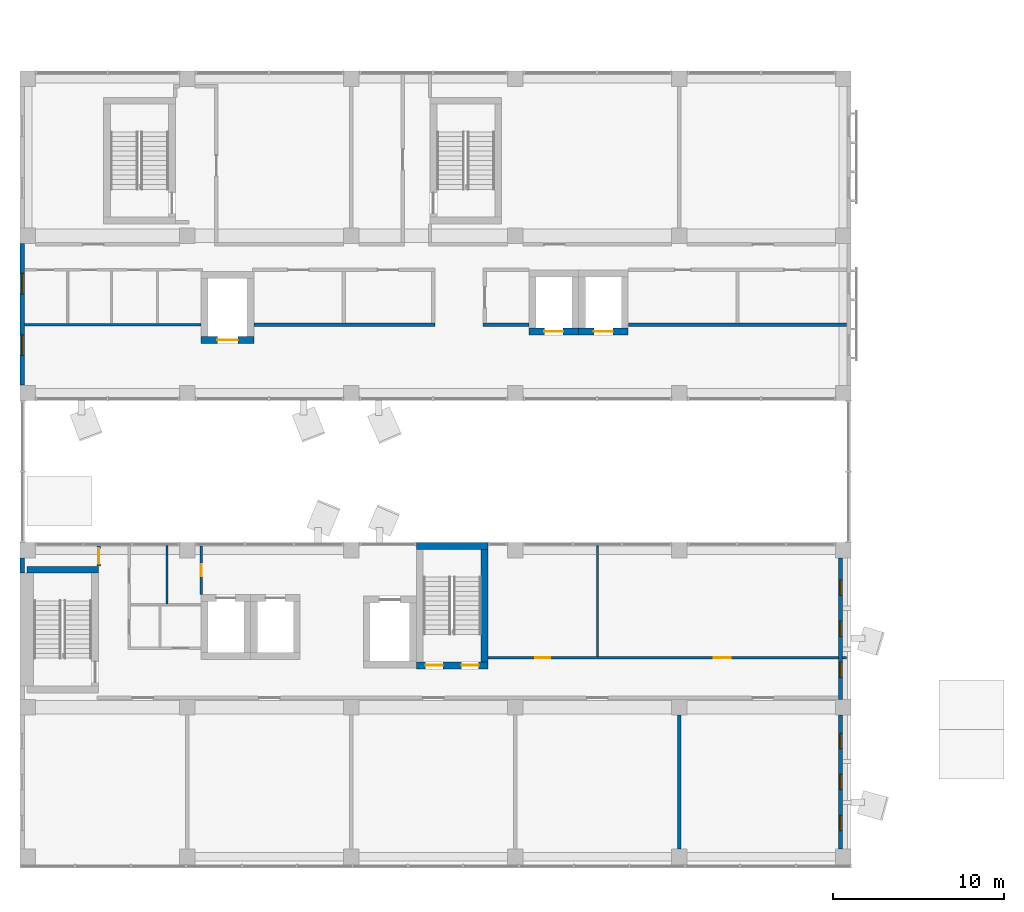
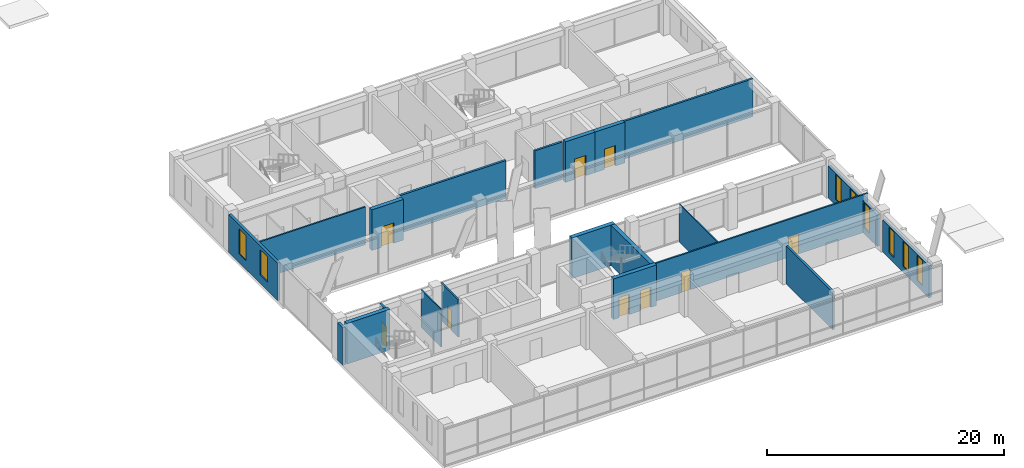
# One storey, part 27 of 36: 21 walls, 9 doors, 8 windows, 17 openings.
"""IFC4 building model written with IfcOpenShell, lengths in metres."""

import ifcopenshell
import ifcopenshell.guid

model = None  # the IFC model being written
_history = None  # IfcOwnerHistory: only IFC2X3 demands one
_inside = {}  # id of a spatial element -> (the spatial element, [elements in it])
_under = {}  # id of a project, library or spatial element -> (it, [spatial elements below it])
_declared = {}  # id of a project -> (the project, [libraries it declares])
_typed = {}  # id of a type object -> (the type object, [elements of that type])
_made_of = {}  # id of a material, layer set ... -> (it, [elements and type objects made of it])


def new_model(schema):
    """Start an empty IFC model of exactly this schema.

    Asked for "IFC4X3", IfcOpenShell would pick the latest addendum, in which some entities
    have other attributes; the version numbers below select the first issue.
    IFC2X3 requires an IfcOwnerHistory on every rooted entity: one is made here for all.
    """
    global model, _history
    if schema == "IFC4X3":
        model = ifcopenshell.file(schema_version=(4, 3, 0, 0))
    else:
        model = ifcopenshell.file(schema=schema)
    _inside.clear()
    _under.clear()
    _declared.clear()
    _typed.clear()
    _made_of.clear()
    _history = None
    if model.schema == "IFC2X3":
        org = make("IfcOrganization", Name="unknown")
        user = make(
            "IfcPersonAndOrganization",
            ThePerson=make("IfcPerson", FamilyName="unknown"),
            TheOrganization=org,
        )
        app = make(
            "IfcApplication",
            ApplicationDeveloper=org,
            Version="unknown",
            ApplicationFullName="unknown",
            ApplicationIdentifier="unknown",
        )
        _history = make(
            "IfcOwnerHistory",
            OwningUser=user,
            OwningApplication=app,
            ChangeAction="ADDED",
            CreationDate=0,
        )
    return model


def make(cls, **values):
    """One entity of the class cls with the attributes given. An attribute that is None is left unset."""
    return model.create_entity(
        cls, **{name: value for name, value in values.items() if value is not None}
    )


def rooted(cls, **values):
    """An entity with a GlobalId (a new one), such as an element, a storey or a relation."""
    return make(cls, GlobalId=ifcopenshell.guid.new(), OwnerHistory=_history, **values)


def si_unit(unit_type, name, prefix=None):
    """IfcSIUnit, for example si_unit("LENGTHUNIT", "METRE", prefix="MILLI")."""
    return make("IfcSIUnit", UnitType=unit_type, Prefix=prefix, Name=name)


def assignment(units):
    """IfcUnitAssignment: the units of a project."""
    return None if units is None else make("IfcUnitAssignment", Units=units)


def point(xyz):
    """IfcCartesianPoint."""
    return None if xyz is None else make("IfcCartesianPoint", Coordinates=xyz)


def direction(xyz):
    """IfcDirection."""
    return None if xyz is None else make("IfcDirection", DirectionRatios=xyz)


def frame(location, z_axis=None, x_axis=None):
    """IfcAxis2Placement3D, a coordinate frame: its origin and axes. An axis left out is left unset."""
    return make(
        "IfcAxis2Placement3D",
        Location=point(location),
        Axis=direction(z_axis),
        RefDirection=direction(x_axis),
    )


def frame_2d(location, x_axis=None):
    """IfcAxis2Placement2D, a coordinate frame in the plane: its origin and x axis."""
    return make(
        "IfcAxis2Placement2D", Location=point(location), RefDirection=direction(x_axis)
    )


def origin():
    """The frame at (0, 0, 0) with its axes left unset."""
    return frame((0.0, 0.0, 0.0))


def place(relative_to, where):
    """IfcLocalPlacement: puts the frame where relative to a parent placement (None: the world)."""
    return make(
        "IfcLocalPlacement", PlacementRelTo=relative_to, RelativePlacement=where
    )


def context(
    kind, dimensions, precision=None, world=None, true_north=None, identifier=None
):
    """IfcGeometricRepresentationContext, for example the 3D "Model" context."""
    return make(
        "IfcGeometricRepresentationContext",
        ContextIdentifier=identifier,
        ContextType=kind,
        CoordinateSpaceDimension=dimensions,
        Precision=precision,
        WorldCoordinateSystem=world,
        TrueNorth=true_north,
    )


def subcontext(parent, identifier, kind, view, scale=None):
    """IfcGeometricRepresentationSubContext, for example "Body" below "Model"."""
    return make(
        "IfcGeometricRepresentationSubContext",
        ContextIdentifier=identifier,
        ContextType=kind,
        ParentContext=parent,
        TargetScale=scale,
        TargetView=view,
    )


def project(units=None, contexts=None):
    """IfcProject with its units and contexts."""
    return rooted(
        "IfcProject",
        Name="project",
        RepresentationContexts=contexts,
        UnitsInContext=assignment(units),
    )


def spatial(cls, under=None, at=None, **own):
    """A site, building, storey or space (cls), placed at a placement, below another one or the project."""
    s = rooted(cls, ObjectPlacement=at, **own)
    if under is not None:
        _under.setdefault(under.id(), (under, []))[1].append(s)
    return s


def profile(cls, at=None, kind="AREA", **sizes):
    """A parametric profile (cls). Its sizes go by their IFC names, for example OverallWidth=200.0."""
    return make(cls, ProfileType=kind, Position=at, **sizes)


def rectangle(**sizes):
    """IfcRectangleProfileDef."""
    return profile("IfcRectangleProfileDef", **sizes)


def extrude(swept, where, along, depth):
    """IfcExtrudedAreaSolid: the profile swept, set in the frame where, extruded along a direction by depth."""
    return make(
        "IfcExtrudedAreaSolid",
        SweptArea=swept,
        Position=where,
        ExtrudedDirection=direction(along),
        Depth=depth,
    )


def shape(context_of_items, identifier, shape_type, items):
    """IfcShapeRepresentation: the items that make up one representation, for example the "Body"."""
    return make(
        "IfcShapeRepresentation",
        ContextOfItems=context_of_items,
        RepresentationIdentifier=identifier,
        RepresentationType=shape_type,
        Items=items,
    )


def material(Name=None, Category=None):
    """IfcMaterial."""
    return make("IfcMaterial", Name=Name, Category=Category)


def layer(
    of_material, thickness, ventilated=None, Name=None, Category=None, Priority=None
):
    """IfcMaterialLayer: one layer of a wall or slab, of a material (None: an air gap)."""
    return make(
        "IfcMaterialLayer",
        Material=of_material,
        LayerThickness=thickness,
        IsVentilated=ventilated,
        Name=Name,
        Category=Category,
        Priority=Priority,
    )


def layer_set(layers, Name=None):
    """IfcMaterialLayerSet."""
    return make("IfcMaterialLayerSet", MaterialLayers=layers, LayerSetName=Name)


def layer_usage(for_layer_set, set_direction, sense, offset, extent=None):
    """IfcMaterialLayerSetUsage: how a layer set lies in its element."""
    return make(
        "IfcMaterialLayerSetUsage",
        ForLayerSet=for_layer_set,
        LayerSetDirection=set_direction,
        DirectionSense=sense,
        OffsetFromReferenceLine=offset,
        ReferenceExtent=extent,
    )


def made_of(thing, what):
    """Note that an element or type object is made of a material, layer set ...; save() writes the relation."""
    if what is not None:
        _made_of.setdefault(what.id(), (what, []))[1].append(thing)
    return thing


def type_object(cls, material=None, **own):
    """A type object (cls), such as IfcWallType, which elements share."""
    return made_of(rooted(cls, **own), material)


def element(
    cls,
    number,
    at=None,
    inside=None,
    cuts=None,
    type_object=None,
    material=None,
    context=None,
    identifier="Body",
    shape_type=None,
    held_by="IfcProductDefinitionShape",
    body=None,
    shapes=None,
    **own,
):
    """One element of the class cls, such as IfcWall. Its Tag is "e" and its number.

    at: its placement. inside: the storey or other place that contains it. cuts: it is an
    opening in that element (IfcRelVoidsElement). A single representation is given by context,
    identifier, shape_type and body (its items); several are given by shapes. held_by: the class
    of the entity that holds the representations. save() writes the other relations.
    """
    e = rooted(cls, Tag="e%d" % number, ObjectPlacement=at, **own)
    if body is not None:
        shapes = [shape(context, identifier, shape_type, body)]
    if shapes is not None:
        e.Representation = make(held_by, Representations=shapes)
    if inside is not None:
        _inside.setdefault(inside.id(), (inside, []))[1].append(e)
    if cuts is not None:
        rooted(
            "IfcRelVoidsElement", RelatingBuildingElement=cuts, RelatedOpeningElement=e
        )
    if type_object is not None:
        _typed.setdefault(type_object.id(), (type_object, []))[1].append(e)
    return made_of(e, material)


def fill(opening, filler):
    """IfcRelFillsElement: the door or window that sits in an opening."""
    return rooted(
        "IfcRelFillsElement",
        RelatingOpeningElement=opening,
        RelatedBuildingElement=filler,
    )


def aggregate(whole, parts):
    """IfcRelAggregates: a whole, such as a stair, and the parts it consists of."""
    return rooted("IfcRelAggregates", RelatingObject=whole, RelatedObjects=parts)


def save(model, path):
    """Write the relations noted so far, then the file.

    IfcRelAggregates (storeys below a building ...), IfcRelContainedInSpatialStructure (elements
    in a storey), IfcRelDefinesByType, IfcRelAssociatesMaterial and IfcRelDeclares: one each for
    every whole, place, type object, material and project.
    """
    for whole, parts in _under.values():
        aggregate(whole, parts)
    for where, things in _inside.values():
        rooted(
            "IfcRelContainedInSpatialStructure",
            RelatedElements=things,
            RelatingStructure=where,
        )
    for kind, things in _typed.values():
        rooted("IfcRelDefinesByType", RelatedObjects=things, RelatingType=kind)
    for what, things in _made_of.values():
        rooted("IfcRelAssociatesMaterial", RelatedObjects=things, RelatingMaterial=what)
    for by, libraries in _declared.values():
        rooted("IfcRelDeclares", RelatingContext=by, RelatedDefinitions=libraries)
    model.write(path)


model = new_model("IFC4")

# Units and contexts
model_context = context("Model", 3, precision=1e-05, world=origin(), true_north=direction((0.0, 1.0)))
body_context = subcontext(model_context, "Body", "Model", "MODEL_VIEW")
ifc_project = project(units=[si_unit("LENGTHUNIT", "METRE"), si_unit("AREAUNIT", "SQUARE_METRE"), si_unit("VOLUMEUNIT", "CUBIC_METRE"), si_unit("PLANEANGLEUNIT", "RADIAN"), si_unit("MASSUNIT", "GRAM", prefix="KILO")], contexts=[model_context])

# Site, building, storey
site_placement = place(None, origin())
site = spatial("IfcSite", under=ifc_project, at=site_placement, CompositionType="ELEMENT")
building_placement = place(site_placement, origin())
building = spatial("IfcBuilding", under=site, at=building_placement, Name="Nzadi Deep Aquarium and Research Tower", CompositionType="ELEMENT")
storey_placement = place(building_placement, frame((0.0, 0.0, 36.10009765625)))
storey = spatial("IfcBuildingStorey", under=building, at=storey_placement, Name="L06", CompositionType="ELEMENT", Elevation=36.10009765625)

# Wall, openings, windows
ifc_material_1 = material(Name="Concrete C35/45", Category="concrete")
ifc_layer_1 = layer(ifc_material_1, 0.14990234375, Category="cladding")
ifc_material_2 = material(Name="Mineral wool insulation")
ifc_layer_2 = layer(ifc_material_2, 0.070068359375, Category="insulation")
ifc_material_3 = material(Name="Gypsum board lining")
ifc_layer_3 = layer(ifc_material_3, 0.030029296875, Category="lining")
ifc_layer_set_1 = layer_set([ifc_layer_1, ifc_layer_2, ifc_layer_3], Name="Concrete C35/45, Mineral wool insulation, Gypsum board lining")
ifc_layer_usage_1 = layer_usage(ifc_layer_set_1, "AXIS2", "POSITIVE", -0.125)
wall_type_1 = type_object("IfcWallType", Name="End wall board-formed concrete 250, 3.30 m high", PredefinedType="ELEMENTEDWALL", material=ifc_layer_set_1)
wall_1_placement = place(storey_placement, frame((47.824951171875, 9.64990234375, 0.0), z_axis=(0.0, 0.0, 1.0), x_axis=(0.0, 1.0, 0.0)))
wall_1 = element("IfcWall", 1, at=wall_1_placement, inside=storey, type_object=wall_type_1, material=ifc_layer_usage_1, Name="End wall blade A east L06", PredefinedType="ELEMENTEDWALL", context=body_context, shape_type="SweptSolid", body=[
    extrude(rectangle(XDim=8.300048828125, YDim=0.25, at=frame_2d((4.14990234375, 0.0))), origin(), (0.0, 0.0, 1.0), 3.2998046875),
])
opening_1_placement = place(wall_1_placement, frame((1.300048828125, 0.0, 0.60009765625)))
opening_1 = element("IfcOpeningElement", 2, at=opening_1_placement, cuts=wall_1, Name="Opening WN03", PredefinedType="OPENING", context=body_context, shape_type="SweptSolid", body=[
    extrude(rectangle(XDim=0.89990234375, YDim=2.60009765625, at=frame_2d((0.449951171875, 1.300048828125))), frame((0.0, 0.135009765625, 0.0), z_axis=(0.0, -1.0, 0.0), x_axis=(1.0, 0.0, 0.0)), (0.0, 0.0, 1.0), 0.27001953125),
])
opening_2_placement = place(wall_1_placement, frame((3.699951171875, 0.0, 0.60009765625)))
opening_2 = element("IfcOpeningElement", 3, at=opening_2_placement, cuts=wall_1, Name="Opening WN03", PredefinedType="OPENING", context=body_context, shape_type="SweptSolid", body=[
    extrude(rectangle(XDim=0.89990234375, YDim=2.60009765625, at=frame_2d((0.449951171875, 1.300048828125))), frame((0.0, 0.135009765625, 0.0), z_axis=(0.0, -1.0, 0.0), x_axis=(1.0, 0.0, 0.0)), (0.0, 0.0, 1.0), 0.27001953125),
])
opening_3_placement = place(wall_1_placement, frame((6.10009765625, 0.0, 0.60009765625)))
opening_3 = element("IfcOpeningElement", 4, at=opening_3_placement, cuts=wall_1, Name="Opening WN03", PredefinedType="OPENING", context=body_context, shape_type="SweptSolid", body=[
    extrude(rectangle(XDim=0.89990234375, YDim=2.60009765625, at=frame_2d((0.449951171875, 1.300048828125))), frame((0.0, 0.135009765625, 0.0), z_axis=(0.0, -1.0, 0.0), x_axis=(1.0, 0.0, 0.0)), (0.0, 0.0, 1.0), 0.27001953125),
])
ifc_material_4 = material(Name="Aluminium window, sage tint glazing", Category="aluminium")
window_type_1 = type_object("IfcWindowType", Name="Slot window 900x2600 sill 600", PartitioningType="SINGLE_PANEL", PredefinedType="WINDOW", material=ifc_material_4)
window_1_placement = place(opening_1_placement, origin())
window_1 = element("IfcWindow", 5, at=window_1_placement, inside=storey, type_object=window_type_1, Name="Slot window L06 AE", OverallHeight=2.60009765625, OverallWidth=0.89990234375, PartitioningType="SINGLE_PANEL", PredefinedType="WINDOW", context=body_context, shape_type="SweptSolid", body=[
    extrude(rectangle(XDim=0.89990234375, YDim=2.60009765625, at=frame_2d((0.449951171875, 1.300048828125))), frame((0.0, 0.030029296875, 0.0), z_axis=(0.0, -1.0, 0.0), x_axis=(1.0, 0.0, 0.0)), (0.0, 0.0, 1.0), 0.06005859375),
])
fill(opening_1, window_1)
window_2_placement = place(opening_2_placement, origin())
window_2 = element("IfcWindow", 6, at=window_2_placement, inside=storey, type_object=window_type_1, Name="Slot window L06 AE", OverallHeight=2.60009765625, OverallWidth=0.89990234375, PartitioningType="SINGLE_PANEL", PredefinedType="WINDOW", context=body_context, shape_type="SweptSolid", body=[
    extrude(rectangle(XDim=0.89990234375, YDim=2.60009765625, at=frame_2d((0.449951171875, 1.300048828125))), frame((0.0, 0.030029296875, 0.0), z_axis=(0.0, -1.0, 0.0), x_axis=(1.0, 0.0, 0.0)), (0.0, 0.0, 1.0), 0.06005859375),
])
fill(opening_2, window_2)
window_3_placement = place(opening_3_placement, origin())
window_3 = element("IfcWindow", 7, at=window_3_placement, inside=storey, type_object=window_type_1, Name="Slot window L06 AE", OverallHeight=2.60009765625, OverallWidth=0.89990234375, PartitioningType="SINGLE_PANEL", PredefinedType="WINDOW", context=body_context, shape_type="SweptSolid", body=[
    extrude(rectangle(XDim=0.89990234375, YDim=2.60009765625, at=frame_2d((0.449951171875, 1.300048828125))), frame((0.0, 0.030029296875, 0.0), z_axis=(0.0, -1.0, 0.0), x_axis=(1.0, 0.0, 0.0)), (0.0, 0.0, 1.0), 0.06005859375),
])
fill(opening_3, window_3)

# Wall
ifc_material_5 = material(Name="Graphite aluminium shingle", Category="aluminium")
ifc_layer_4 = layer(ifc_material_5, 0.050048828125, Category="cladding")
ifc_layer_5 = layer(ifc_material_1, 0.10009765625, Category="cladding")
ifc_layer_6 = layer(ifc_material_2, 0.070068359375, Category="insulation")
ifc_layer_7 = layer(ifc_material_3, 0.030029296875, Category="lining")
ifc_layer_set_2 = layer_set([ifc_layer_4, ifc_layer_5, ifc_layer_6, ifc_layer_7], Name="Graphite aluminium shingle, Concrete C35/45, Mineral wool insulation, Gypsum board lining")
ifc_layer_usage_2 = layer_usage(ifc_layer_set_2, "AXIS2", "POSITIVE", -0.125)
wall_type_2 = type_object("IfcWallType", Name="End wall shingle over board-formed concrete 250", PredefinedType="ELEMENTEDWALL", material=ifc_layer_set_2)
wall_2_placement = place(storey_placement, frame((-0.074462890625, 17.949951171875, 0.0), z_axis=(0.0, 0.0, 1.0), x_axis=(0.0, -1.0, 0.0)))
element("IfcWall", 8, at=wall_2_placement, inside=storey, type_object=wall_type_2, material=ifc_layer_usage_2, Name="End wall blade A west L06", PredefinedType="ELEMENTEDWALL", context=body_context, shape_type="SweptSolid", body=[
    extrude(rectangle(XDim=0.89990234375, YDim=0.25, at=frame_2d((0.449951171875, 0.0))), origin(), (0.0, 0.0, 1.0), 3.89990234375),
])

# Wall, openings, windows
ifc_layer_usage_3 = layer_usage(ifc_layer_set_2, "AXIS2", "POSITIVE", -0.125)
wall_3_placement = place(storey_placement, frame((-0.074462890625, 36.35009765625, 0.0), z_axis=(0.0, 0.0, 1.0), x_axis=(0.0, -1.0, 0.0)))
wall_3 = element("IfcWall", 9, at=wall_3_placement, inside=storey, type_object=wall_type_2, material=ifc_layer_usage_3, Name="End wall blade B west L06", PredefinedType="ELEMENTEDWALL", context=body_context, shape_type="SweptSolid", body=[
    extrude(rectangle(XDim=8.300048828125, YDim=0.25, at=frame_2d((4.14990234375, 0.0))), origin(), (0.0, 0.0, 1.0), 3.89990234375),
])
opening_4_placement = place(wall_3_placement, frame((5.35009765625, 0.0, 0.89990234375)))
opening_4 = element("IfcOpeningElement", 10, at=opening_4_placement, cuts=wall_3, Name="Opening WN04", PredefinedType="OPENING", context=body_context, shape_type="SweptSolid", body=[
    extrude(rectangle(XDim=1.199951171875, YDim=2.60009765625, at=frame_2d((0.60009765625, 1.300048828125))), frame((0.0, 0.135009765625, 0.0), z_axis=(0.0, -1.0, 0.0), x_axis=(1.0, 0.0, 0.0)), (0.0, 0.0, 1.0), 0.27001953125),
])
opening_5_placement = place(wall_3_placement, frame((1.75, 0.0, 0.89990234375)))
opening_5 = element("IfcOpeningElement", 11, at=opening_5_placement, cuts=wall_3, Name="Opening WN04", PredefinedType="OPENING", context=body_context, shape_type="SweptSolid", body=[
    extrude(rectangle(XDim=1.199951171875, YDim=2.60009765625, at=frame_2d((0.60009765625, 1.300048828125))), frame((0.0, 0.135009765625, 0.0), z_axis=(0.0, -1.0, 0.0), x_axis=(1.0, 0.0, 0.0)), (0.0, 0.0, 1.0), 0.27001953125),
])
ifc_material_6 = material(Name="Aluminium window, sage tint glazing", Category="aluminium")
window_type_2 = type_object("IfcWindowType", Name="Slot window 1200x2600 sill 900", PartitioningType="SINGLE_PANEL", PredefinedType="WINDOW", material=ifc_material_6)
window_4_placement = place(opening_4_placement, origin())
window_4 = element("IfcWindow", 12, at=window_4_placement, inside=storey, type_object=window_type_2, Name="Slot window L06 BW", OverallHeight=2.60009765625, OverallWidth=1.199951171875, PartitioningType="SINGLE_PANEL", PredefinedType="WINDOW", context=body_context, shape_type="SweptSolid", body=[
    extrude(rectangle(XDim=1.199951171875, YDim=2.60009765625, at=frame_2d((0.60009765625, 1.300048828125))), frame((0.0, 0.030029296875, 0.0), z_axis=(0.0, -1.0, 0.0), x_axis=(1.0, 0.0, 0.0)), (0.0, 0.0, 1.0), 0.06005859375),
])
fill(opening_4, window_4)
window_5_placement = place(opening_5_placement, origin())
window_5 = element("IfcWindow", 13, at=window_5_placement, inside=storey, type_object=window_type_2, Name="Slot window L06 BW", OverallHeight=2.60009765625, OverallWidth=1.199951171875, PartitioningType="SINGLE_PANEL", PredefinedType="WINDOW", context=body_context, shape_type="SweptSolid", body=[
    extrude(rectangle(XDim=1.199951171875, YDim=2.60009765625, at=frame_2d((0.60009765625, 1.300048828125))), frame((0.0, 0.030029296875, 0.0), z_axis=(0.0, -1.0, 0.0), x_axis=(1.0, 0.0, 0.0)), (0.0, 0.0, 1.0), 0.06005859375),
])
fill(opening_5, window_5)

ifc_layer_8 = layer(ifc_material_5, 0.050048828125, Category="cladding")
ifc_layer_9 = layer(ifc_material_1, 0.10009765625, Category="cladding")
ifc_layer_10 = layer(ifc_material_2, 0.070068359375, Category="insulation")
ifc_layer_11 = layer(ifc_material_3, 0.030029296875, Category="lining")
ifc_layer_set_3 = layer_set([ifc_layer_8, ifc_layer_9, ifc_layer_10, ifc_layer_11], Name="Graphite aluminium shingle, Concrete C35/45, Mineral wool insulation, Gypsum board lining")
ifc_layer_usage_4 = layer_usage(ifc_layer_set_3, "AXIS2", "POSITIVE", -0.125)
wall_type_3 = type_object("IfcWallType", Name="End wall shingle over board-formed concrete 250, 3.30 m high", PredefinedType="ELEMENTEDWALL", material=ifc_layer_set_3)
wall_4_placement = place(storey_placement, frame((47.824951171875, 0.89990234375, 0.0), z_axis=(0.0, 0.0, 1.0), x_axis=(0.0, 1.0, 0.0)))
wall_4 = element("IfcWall", 14, at=wall_4_placement, inside=storey, type_object=wall_type_3, material=ifc_layer_usage_4, Name="End wall blade A east L06", PredefinedType="ELEMENTEDWALL", context=body_context, shape_type="SweptSolid", body=[
    extrude(rectangle(XDim=7.85009765625, YDim=0.25, at=frame_2d((3.925048828125, 0.0))), origin(), (0.0, 0.0, 1.0), 3.2998046875),
])
opening_6_placement = place(wall_4_placement, frame((1.074951171875, 0.0, 0.60009765625)))
opening_6 = element("IfcOpeningElement", 15, at=opening_6_placement, cuts=wall_4, Name="Opening WN03", PredefinedType="OPENING", context=body_context, shape_type="SweptSolid", body=[
    extrude(rectangle(XDim=0.89990234375, YDim=2.60009765625, at=frame_2d((0.449951171875, 1.300048828125))), frame((0.0, 0.135009765625, 0.0), z_axis=(0.0, -1.0, 0.0), x_axis=(1.0, 0.0, 0.0)), (0.0, 0.0, 1.0), 0.27001953125),
])
opening_7_placement = place(wall_4_placement, frame((3.47509765625, 0.0, 0.60009765625)))
opening_7 = element("IfcOpeningElement", 16, at=opening_7_placement, cuts=wall_4, Name="Opening WN03", PredefinedType="OPENING", context=body_context, shape_type="SweptSolid", body=[
    extrude(rectangle(XDim=0.89990234375, YDim=2.60009765625, at=frame_2d((0.449951171875, 1.300048828125))), frame((0.0, 0.135009765625, 0.0), z_axis=(0.0, -1.0, 0.0), x_axis=(1.0, 0.0, 0.0)), (0.0, 0.0, 1.0), 0.27001953125),
])
opening_8_placement = place(wall_4_placement, frame((5.875, 0.0, 0.60009765625)))
opening_8 = element("IfcOpeningElement", 17, at=opening_8_placement, cuts=wall_4, Name="Opening WN03", PredefinedType="OPENING", context=body_context, shape_type="SweptSolid", body=[
    extrude(rectangle(XDim=0.89990234375, YDim=2.60009765625, at=frame_2d((0.449951171875, 1.300048828125))), frame((0.0, 0.135009765625, 0.0), z_axis=(0.0, -1.0, 0.0), x_axis=(1.0, 0.0, 0.0)), (0.0, 0.0, 1.0), 0.27001953125),
])
window_6_placement = place(opening_6_placement, origin())
window_6 = element("IfcWindow", 18, at=window_6_placement, inside=storey, type_object=window_type_1, Name="Slot window L06 AE", OverallHeight=2.60009765625, OverallWidth=0.89990234375, PartitioningType="SINGLE_PANEL", PredefinedType="WINDOW", context=body_context, shape_type="SweptSolid", body=[
    extrude(rectangle(XDim=0.89990234375, YDim=2.60009765625, at=frame_2d((0.449951171875, 1.300048828125))), frame((0.0, 0.030029296875, 0.0), z_axis=(0.0, -1.0, 0.0), x_axis=(1.0, 0.0, 0.0)), (0.0, 0.0, 1.0), 0.06005859375),
])
fill(opening_6, window_6)
window_7_placement = place(opening_7_placement, origin())
window_7 = element("IfcWindow", 19, at=window_7_placement, inside=storey, type_object=window_type_1, Name="Slot window L06 AE", OverallHeight=2.60009765625, OverallWidth=0.89990234375, PartitioningType="SINGLE_PANEL", PredefinedType="WINDOW", context=body_context, shape_type="SweptSolid", body=[
    extrude(rectangle(XDim=0.89990234375, YDim=2.60009765625, at=frame_2d((0.449951171875, 1.300048828125))), frame((0.0, 0.030029296875, 0.0), z_axis=(0.0, -1.0, 0.0), x_axis=(1.0, 0.0, 0.0)), (0.0, 0.0, 1.0), 0.06005859375),
])
fill(opening_7, window_7)
window_8_placement = place(opening_8_placement, origin())
window_8 = element("IfcWindow", 20, at=window_8_placement, inside=storey, type_object=window_type_1, Name="Slot window L06 AE", OverallHeight=2.60009765625, OverallWidth=0.89990234375, PartitioningType="SINGLE_PANEL", PredefinedType="WINDOW", context=body_context, shape_type="SweptSolid", body=[
    extrude(rectangle(XDim=0.89990234375, YDim=2.60009765625, at=frame_2d((0.449951171875, 1.300048828125))), frame((0.0, 0.030029296875, 0.0), z_axis=(0.0, -1.0, 0.0), x_axis=(1.0, 0.0, 0.0)), (0.0, 0.0, 1.0), 0.06005859375),
])
fill(opening_8, window_8)

# Walls
ifc_material_7 = material(Name="Blockwork masonry", Category="masonry")
ifc_layer_12 = layer(ifc_material_7, 0.10009765625)
ifc_layer_set_4 = layer_set([ifc_layer_12], Name="Blockwork masonry")
wall_type_4 = type_object("IfcWallType", Name="Partition 100 EI 30", PredefinedType="PARTITIONING", material=ifc_layer_set_4)
wall_5_placement = place(storey_placement, frame((8.39990234375, 15.25, 0.0), z_axis=(0.0, 0.0, 1.0), x_axis=(0.0, 1.0, 0.0)))
element("IfcWall", 21, at=wall_5_placement, inside=storey, type_object=wall_type_4, Name="W-Z1-L06-P013", PredefinedType="PARTITIONING", context=body_context, shape_type="SweptSolid", body=[
    extrude(rectangle(XDim=3.39404296875, YDim=0.10009765625, at=frame_2d((1.697021484375, 0.0))), origin(), (0.0, 0.0, 1.0), 3.89990234375),
])
wall_6_placement = place(storey_placement, frame((33.60009765625, 12.175048828125, 0.0), z_axis=(0.0, 0.0, 1.0), x_axis=(0.0, 1.0, 0.0)))
element("IfcWall", 22, at=wall_6_placement, inside=storey, type_object=wall_type_4, Name="W-Z1-L06-P039", PredefinedType="PARTITIONING", context=body_context, shape_type="SweptSolid", body=[
    extrude(rectangle(XDim=6.468994140625, YDim=0.10009765625, at=frame_2d((3.234375, 0.0))), origin(), (0.0, 0.0, 1.0), 3.89990234375),
])
ifc_material_8 = material(Name="Blockwork masonry", Category="masonry")
ifc_layer_13 = layer(ifc_material_8, 0.14990234375)
ifc_layer_set_5 = layer_set([ifc_layer_13], Name="Blockwork masonry")
wall_type_5 = type_object("IfcWallType", Name="Partition 150 EI 60", PredefinedType="PARTITIONING", material=ifc_layer_set_5)
wall_7_placement = place(storey_placement, frame((0.055908203125, 31.60009765625, 0.0), z_axis=(0.0, 0.0, 1.0), x_axis=(1.0, 0.0, 0.0)))
element("IfcWall", 23, at=wall_7_placement, inside=storey, type_object=wall_type_5, Name="W-Z1-L06-P001", PredefinedType="PARTITIONING", context=body_context, shape_type="SweptSolid", body=[
    extrude(rectangle(XDim=10.338134765625, YDim=0.14990234375, at=frame_2d((5.1689453125, 0.0))), origin(), (0.0, 0.0, 1.0), 3.89990234375),
])

# Wall, opening, door
wall_8_placement = place(storey_placement, frame((10.39990234375, 15.805908203125, 0.0), z_axis=(0.0, 0.0, 1.0), x_axis=(0.0, 1.0, 0.0)))
wall_8 = element("IfcWall", 24, at=wall_8_placement, inside=storey, type_object=wall_type_5, Name="W-Z1-L06-P019", PredefinedType="PARTITIONING", context=body_context, shape_type="SweptSolid", body=[
    extrude(rectangle(XDim=2.838134765625, YDim=0.14990234375, at=frame_2d((1.4189453125, 0.0))), origin(), (0.0, 0.0, 1.0), 3.89990234375),
])
opening_9_placement = place(wall_8_placement, frame((1.073974609375, 0.0, 0.0)))
opening_9 = element("IfcOpeningElement", 25, at=opening_9_placement, cuts=wall_8, Name="Opening D071005", PredefinedType="OPENING", context=body_context, shape_type="SweptSolid", body=[
    extrude(rectangle(XDim=0.699951171875, YDim=2.10009765625, at=frame_2d((0.35009765625, 1.050048828125))), frame((0.0, 0.0849609375, 0.0), z_axis=(0.0, -1.0, 0.0), x_axis=(1.0, 0.0, 0.0)), (0.0, 0.0, 1.0), 0.169921875),
])
ifc_material_9 = material(Name="Fire-rated steel door", Category="steel")
ifc_layer_14 = layer(ifc_material_9, 0.050048828125)
ifc_layer_set_6 = layer_set([ifc_layer_14], Name="Fire-rated steel door")
door_type_1 = type_object("IfcDoorType", Name="Door 700x2100 EI 60 single", OperationType="SINGLE_SWING_LEFT", PredefinedType="DOOR", material=ifc_layer_set_6)
door_1_placement = place(opening_9_placement, origin())
door_1 = element("IfcDoor", 26, at=door_1_placement, inside=storey, type_object=door_type_1, Name="D071005", OperationType="SINGLE_SWING_LEFT", OverallHeight=2.10009765625, OverallWidth=0.699951171875, PredefinedType="DOOR", context=body_context, shape_type="SweptSolid", body=[
    extrude(rectangle(XDim=0.699951171875, YDim=2.10009765625, at=frame_2d((0.35009765625, 1.050048828125))), frame((0.0, 0.02490234375, 0.0), z_axis=(0.0, -1.0, 0.0), x_axis=(1.0, 0.0, 0.0)), (0.0, 0.0, 1.0), 0.050048828125),
])
fill(opening_9, door_1)

# Wall, openings, doors
wall_9_placement = place(storey_placement, frame((27.2060546875, 12.10009765625, 0.0), z_axis=(0.0, 0.0, 1.0), x_axis=(1.0, 0.0, 0.0)))
wall_9 = element("IfcWall", 27, at=wall_9_placement, inside=storey, type_object=wall_type_5, Name="W-Z1-L06-P036", PredefinedType="PARTITIONING", context=body_context, shape_type="SweptSolid", body=[
    extrude(rectangle(XDim=20.988037109375, YDim=0.14990234375, at=frame_2d((10.494140625, 0.0))), origin(), (0.0, 0.0, 1.0), 3.89990234375),
])
opening_10_placement = place(wall_9_placement, frame((2.743896484375, 0.0, 0.0)))
opening_10 = element("IfcOpeningElement", 28, at=opening_10_placement, cuts=wall_9, Name="Opening D071011", PredefinedType="OPENING", context=body_context, shape_type="SweptSolid", body=[
    extrude(rectangle(XDim=0.89990234375, YDim=2.10009765625, at=frame_2d((0.449951171875, 1.050048828125))), frame((0.0, 0.0849609375, 0.0), z_axis=(0.0, -1.0, 0.0), x_axis=(1.0, 0.0, 0.0)), (0.0, 0.0, 1.0), 0.169921875),
])
opening_11_placement = place(wall_9_placement, frame((13.194091796875, 0.0, 0.0)))
opening_11 = element("IfcOpeningElement", 29, at=opening_11_placement, cuts=wall_9, Name="Opening D071012", PredefinedType="OPENING", context=body_context, shape_type="SweptSolid", body=[
    extrude(rectangle(XDim=1.0, YDim=2.10009765625, at=frame_2d((0.5, 1.050048828125))), frame((0.0, 0.0849609375, 0.0), z_axis=(0.0, -1.0, 0.0), x_axis=(1.0, 0.0, 0.0)), (0.0, 0.0, 1.0), 0.169921875),
])
ifc_material_10 = material(Name="Fire-rated steel door", Category="steel")
ifc_layer_15 = layer(ifc_material_10, 0.050048828125)
ifc_layer_set_7 = layer_set([ifc_layer_15], Name="Fire-rated steel door")
door_type_2 = type_object("IfcDoorType", Name="Door 1000x2100 EI 60 single", OperationType="SINGLE_SWING_LEFT", PredefinedType="DOOR", material=ifc_layer_set_7)
door_2_placement = place(opening_11_placement, origin())
door_2 = element("IfcDoor", 30, at=door_2_placement, inside=storey, type_object=door_type_2, Name="D071012", OperationType="SINGLE_SWING_RIGHT", OverallHeight=2.10009765625, OverallWidth=1.0, PredefinedType="DOOR", context=body_context, shape_type="SweptSolid", body=[
    extrude(rectangle(XDim=1.0, YDim=2.10009765625, at=frame_2d((0.5, 1.050048828125))), frame((0.0, 0.02490234375, 0.0), z_axis=(0.0, -1.0, 0.0), x_axis=(1.0, 0.0, 0.0)), (0.0, 0.0, 1.0), 0.050048828125),
])
fill(opening_11, door_2)
ifc_material_11 = material(Name="Fire-rated steel door", Category="steel")
ifc_layer_16 = layer(ifc_material_11, 0.050048828125)
ifc_layer_set_8 = layer_set([ifc_layer_16], Name="Fire-rated steel door")
door_type_3 = type_object("IfcDoorType", Name="Door 900x2100 EI 60 single", OperationType="SINGLE_SWING_LEFT", PredefinedType="DOOR", material=ifc_layer_set_8)
door_3_placement = place(opening_10_placement, origin())
door_3 = element("IfcDoor", 31, at=door_3_placement, inside=storey, type_object=door_type_3, Name="D071011", OperationType="SINGLE_SWING_LEFT", OverallHeight=2.10009765625, OverallWidth=0.89990234375, PredefinedType="DOOR", context=body_context, shape_type="SweptSolid", body=[
    extrude(rectangle(XDim=0.89990234375, YDim=2.10009765625, at=frame_2d((0.449951171875, 1.050048828125))), frame((0.0, 0.02490234375, 0.0), z_axis=(0.0, -1.0, 0.0), x_axis=(1.0, 0.0, 0.0)), (0.0, 0.0, 1.0), 0.050048828125),
])
fill(opening_10, door_3)

# Wall, opening, door
ifc_material_12 = material(Name="Blockwork masonry", Category="masonry")
ifc_layer_17 = layer(ifc_material_12, 0.199951171875)
ifc_layer_set_9 = layer_set([ifc_layer_17], Name="Blockwork masonry")
wall_type_6 = type_object("IfcWallType", Name="Partition 200 EI 120", PredefinedType="PARTITIONING", material=ifc_layer_set_9)
wall_10_placement = place(storey_placement, frame((4.39990234375, 17.4560546875, 0.0), z_axis=(0.0, 0.0, 1.0), x_axis=(0.0, 1.0, 0.0)))
wall_10 = element("IfcWall", 32, at=wall_10_placement, inside=storey, type_object=wall_type_6, Name="W-Z1-L06-P006", PredefinedType="PARTITIONING", context=body_context, shape_type="SweptSolid", body=[
    extrude(rectangle(XDim=1.18798828125, YDim=0.199951171875, at=frame_2d((0.593994140625, 0.0))), origin(), (0.0, 0.0, 1.0), 3.89990234375),
])
opening_12_placement = place(wall_10_placement, frame((0.14404296875, 0.0, 0.0)))
opening_12 = element("IfcOpeningElement", 33, at=opening_12_placement, cuts=wall_10, Name="Opening D071001", PredefinedType="OPENING", context=body_context, shape_type="SweptSolid", body=[
    extrude(rectangle(XDim=0.89990234375, YDim=2.10009765625, at=frame_2d((0.449951171875, 1.050048828125))), frame((0.0, 0.110107421875, 0.0), z_axis=(0.0, -1.0, 0.0), x_axis=(1.0, 0.0, 0.0)), (0.0, 0.0, 1.0), 0.22021484375),
])
ifc_material_13 = material(Name="Fire-rated steel door", Category="steel")
ifc_layer_18 = layer(ifc_material_13, 0.050048828125)
ifc_layer_set_10 = layer_set([ifc_layer_18], Name="Fire-rated steel door")
door_type_4 = type_object("IfcDoorType", Name="Door 900x2100 EI 120 single", OperationType="SINGLE_SWING_LEFT", PredefinedType="DOOR", material=ifc_layer_set_10)
door_4_placement = place(opening_12_placement, origin())
door_4 = element("IfcDoor", 34, at=door_4_placement, inside=storey, type_object=door_type_4, Name="D071001", OperationType="SINGLE_SWING_LEFT", OverallHeight=2.10009765625, OverallWidth=0.89990234375, PredefinedType="DOOR", context=body_context, shape_type="SweptSolid", body=[
    extrude(rectangle(XDim=0.89990234375, YDim=2.10009765625, at=frame_2d((0.449951171875, 1.050048828125))), frame((0.0, 0.02490234375, 0.0), z_axis=(0.0, -1.0, 0.0), x_axis=(1.0, 0.0, 0.0)), (0.0, 0.0, 1.0), 0.050048828125),
])
fill(opening_12, door_4)

# Walls
wall_11_placement = place(storey_placement, frame((13.506103515625, 31.60009765625, 0.0), z_axis=(0.0, 0.0, 1.0), x_axis=(1.0, 0.0, 0.0)))
element("IfcWall", 35, at=wall_11_placement, inside=storey, type_object=wall_type_6, Name="W-Z1-L06-P023", PredefinedType="PARTITIONING", context=body_context, shape_type="SweptSolid", body=[
    extrude(rectangle(XDim=10.593994140625, YDim=0.199951171875, at=frame_2d((5.296875, 0.0))), origin(), (0.0, 0.0, 1.0), 3.89990234375),
])
wall_12_placement = place(storey_placement, frame((26.89990234375, 31.60009765625, 0.0), z_axis=(0.0, 0.0, 1.0), x_axis=(1.0, 0.0, 0.0)))
element("IfcWall", 36, at=wall_12_placement, inside=storey, type_object=wall_type_6, Name="W-Z1-L06-P033", PredefinedType="PARTITIONING", context=body_context, shape_type="SweptSolid", body=[
    extrude(rectangle(XDim=2.694091796875, YDim=0.199951171875, at=frame_2d((1.34716796875, 0.0))), origin(), (0.0, 0.0, 1.0), 3.89990234375),
])
wall_13_placement = place(storey_placement, frame((35.406005859375, 31.60009765625, 0.0), z_axis=(0.0, 0.0, 1.0), x_axis=(1.0, 0.0, 0.0)))
element("IfcWall", 37, at=wall_13_placement, inside=storey, type_object=wall_type_6, Name="W-Z1-L06-P040", PredefinedType="PARTITIONING", context=body_context, shape_type="SweptSolid", body=[
    extrude(rectangle(XDim=12.7880859375, YDim=0.199951171875, at=frame_2d((6.39404296875, 0.0))), origin(), (0.0, 0.0, 1.0), 3.89990234375),
])
wall_14_placement = place(storey_placement, frame((38.39990234375, 0.89990234375, 0.0), z_axis=(0.0, 0.0, 1.0), x_axis=(0.0, 1.0, 0.0)))
element("IfcWall", 38, at=wall_14_placement, inside=storey, type_object=wall_type_6, Name="W-Z1-L06-P042", PredefinedType="PARTITIONING", context=body_context, shape_type="SweptSolid", body=[
    extrude(rectangle(XDim=7.85009765625, YDim=0.199951171875, at=frame_2d((3.925048828125, 0.0))), origin(), (0.0, 0.0, 1.0), 3.89990234375),
])
ifc_material_14 = material(Name="Concrete C35/45", Category="concrete")
ifc_layer_19 = layer(ifc_material_14, 0.39990234375)
ifc_layer_set_11 = layer_set([ifc_layer_19], Name="Concrete C35/45")
wall_type_7 = type_object("IfcWallType", Name="RC core wall 400", PredefinedType="SHEAR", material=ifc_layer_set_11)
wall_15_placement = place(storey_placement, frame((0.199951171875, 17.25, 0.0), z_axis=(0.0, 0.0, 1.0), x_axis=(1.0, 0.0, 0.0)))
element("IfcWall", 39, at=wall_15_placement, inside=storey, type_object=wall_type_7, Name="W-CORE-ST-Z1-SW-L06-N", PredefinedType="SHEAR", context=body_context, shape_type="SweptSolid", body=[
    extrude(rectangle(XDim=4.199951171875, YDim=0.39990234375, at=frame_2d((2.10009765625, 0.0))), origin(), (0.0, 0.0, 1.0), 4.199951171875),
])

# Wall, openings, doors
wall_16_placement = place(storey_placement, frame((23.0, 11.64990234375, 0.0), z_axis=(0.0, 0.0, 1.0), x_axis=(1.0, 0.0, 0.0)))
wall_16 = element("IfcWall", 40, at=wall_16_placement, inside=storey, type_object=wall_type_7, Name="W-CORE-ST-Z1-SE-L06-S", PredefinedType="SHEAR", context=body_context, shape_type="SweptSolid", body=[
    extrude(rectangle(XDim=4.199951171875, YDim=0.39990234375, at=frame_2d((2.10009765625, 0.0))), origin(), (0.0, 0.0, 1.0), 4.199951171875),
])
opening_13_placement = place(wall_16_placement, frame((0.550048828125, 0.0, 0.0)))
opening_13 = element("IfcOpeningElement", 41, at=opening_13_placement, cuts=wall_16, Name="Opening DS-Z1-SE-L06A", PredefinedType="OPENING", context=body_context, shape_type="SweptSolid", body=[
    extrude(rectangle(XDim=1.0, YDim=2.10009765625, at=frame_2d((0.5, 1.050048828125))), frame((0.0, 0.2099609375, 0.0), z_axis=(0.0, -1.0, 0.0), x_axis=(1.0, 0.0, 0.0)), (0.0, 0.0, 1.0), 0.419921875),
])
opening_14_placement = place(wall_16_placement, frame((2.64990234375, 0.0, 0.0)))
opening_14 = element("IfcOpeningElement", 42, at=opening_14_placement, cuts=wall_16, Name="Opening DS-Z1-SE-L06B", PredefinedType="OPENING", context=body_context, shape_type="SweptSolid", body=[
    extrude(rectangle(XDim=1.0, YDim=2.10009765625, at=frame_2d((0.5, 1.050048828125))), frame((0.0, 0.2099609375, 0.0), z_axis=(0.0, -1.0, 0.0), x_axis=(1.0, 0.0, 0.0)), (0.0, 0.0, 1.0), 0.419921875),
])
ifc_material_15 = material(Name="Steel, powder coated", Category="steel")
door_type_5 = type_object("IfcDoorType", Name="STAIR DOOR 1000x2100 EI 60", OperationType="SINGLE_SWING_LEFT", PredefinedType="DOOR", material=ifc_material_15)
door_5_placement = place(opening_13_placement, origin())
door_5 = element("IfcDoor", 43, at=door_5_placement, inside=storey, type_object=door_type_5, Name="Stair door ST-Z1-SE L06 A", OperationType="SINGLE_SWING_RIGHT", OverallHeight=2.10009765625, OverallWidth=1.0, PredefinedType="DOOR", context=body_context, shape_type="SweptSolid", body=[
    extrude(rectangle(XDim=1.0, YDim=2.10009765625, at=frame_2d((0.5, 1.050048828125))), frame((0.0, 0.02490234375, 0.0), z_axis=(0.0, -1.0, 0.0), x_axis=(1.0, 0.0, 0.0)), (0.0, 0.0, 1.0), 0.050048828125),
])
fill(opening_13, door_5)
door_6_placement = place(opening_14_placement, origin())
door_6 = element("IfcDoor", 44, at=door_6_placement, inside=storey, type_object=door_type_5, Name="Stair door ST-Z1-SE L06 B", OperationType="SINGLE_SWING_LEFT", OverallHeight=2.10009765625, OverallWidth=1.0, PredefinedType="DOOR", context=body_context, shape_type="SweptSolid", body=[
    extrude(rectangle(XDim=1.0, YDim=2.10009765625, at=frame_2d((0.5, 1.050048828125))), frame((0.0, 0.02490234375, 0.0), z_axis=(0.0, -1.0, 0.0), x_axis=(1.0, 0.0, 0.0)), (0.0, 0.0, 1.0), 0.050048828125),
])
fill(opening_14, door_6)

# Walls
wall_17_placement = place(storey_placement, frame((23.0, 18.64990234375, 0.0), z_axis=(0.0, 0.0, 1.0), x_axis=(1.0, 0.0, 0.0)))
element("IfcWall", 45, at=wall_17_placement, inside=storey, type_object=wall_type_7, Name="W-CORE-ST-Z1-SE-L06-N", PredefinedType="SHEAR", context=body_context, shape_type="SweptSolid", body=[
    extrude(rectangle(XDim=4.199951171875, YDim=0.39990234375, at=frame_2d((2.10009765625, 0.0))), origin(), (0.0, 0.0, 1.0), 4.199951171875),
])
wall_18_placement = place(storey_placement, frame((27.0, 11.85009765625, 0.0), z_axis=(0.0, 0.0, 1.0), x_axis=(0.0, 1.0, 0.0)))
element("IfcWall", 46, at=wall_18_placement, inside=storey, type_object=wall_type_7, Name="W-CORE-ST-Z1-SE-L06-E", PredefinedType="SHEAR", context=body_context, shape_type="SweptSolid", body=[
    extrude(rectangle(XDim=6.599853515625, YDim=0.39990234375, at=frame_2d((3.2998046875, 0.0))), origin(), (0.0, 0.0, 1.0), 4.199951171875),
])

# Wall, opening, door
wall_19_placement = place(storey_placement, frame((10.39990234375, 30.699951171875, 0.0), z_axis=(0.0, 0.0, 1.0), x_axis=(1.0, 0.0, 0.0)))
wall_19 = element("IfcWall", 47, at=wall_19_placement, inside=storey, type_object=wall_type_7, Name="W-CORE-FL2-L06-S", PredefinedType="SHEAR", context=body_context, shape_type="SweptSolid", body=[
    extrude(rectangle(XDim=3.10009765625, YDim=0.39990234375, at=frame_2d((1.550048828125, 0.0))), origin(), (0.0, 0.0, 1.0), 4.199951171875),
])
opening_15_placement = place(wall_19_placement, frame((0.949951171875, 0.0, 0.0)))
opening_15 = element("IfcOpeningElement", 48, at=opening_15_placement, cuts=wall_19, Name="Opening LD-FL2-L06", PredefinedType="OPENING", context=body_context, shape_type="SweptSolid", body=[
    extrude(rectangle(XDim=1.199951171875, YDim=2.10009765625, at=frame_2d((0.60009765625, 1.050048828125))), frame((0.0, 0.2099609375, 0.0), z_axis=(0.0, -1.0, 0.0), x_axis=(1.0, 0.0, 0.0)), (0.0, 0.0, 1.0), 0.419921875),
])
ifc_material_16 = material(Name="Stainless steel 1.4301", Category="steel")
door_type_6 = type_object("IfcDoorType", Name="LANDING DOOR 1200x2100", OperationType="DOUBLE_DOOR_SLIDING", PredefinedType="DOOR", material=ifc_material_16)
door_7_placement = place(opening_15_placement, origin())
door_7 = element("IfcDoor", 49, at=door_7_placement, inside=storey, type_object=door_type_6, Name="Landing door FL2 L06", OperationType="DOUBLE_DOOR_SLIDING", OverallHeight=2.10009765625, OverallWidth=1.199951171875, PredefinedType="DOOR", context=body_context, shape_type="SweptSolid", body=[
    extrude(rectangle(XDim=1.199951171875, YDim=2.10009765625, at=frame_2d((0.60009765625, 1.050048828125))), frame((0.0, 0.02490234375, 0.0), z_axis=(0.0, -1.0, 0.0), x_axis=(1.0, 0.0, 0.0)), (0.0, 0.0, 1.0), 0.050048828125),
])
fill(opening_15, door_7)

wall_20_placement = place(storey_placement, frame((29.60009765625, 31.199951171875, 0.0), z_axis=(0.0, 0.0, 1.0), x_axis=(1.0, 0.0, 0.0)))
wall_20 = element("IfcWall", 50, at=wall_20_placement, inside=storey, type_object=wall_type_7, Name="W-CORE-TL3-L06-S", PredefinedType="SHEAR", context=body_context, shape_type="SweptSolid", body=[
    extrude(rectangle(XDim=2.89990234375, YDim=0.39990234375, at=frame_2d((1.449951171875, 0.0))), origin(), (0.0, 0.0, 1.0), 4.199951171875),
])
opening_16_placement = place(wall_20_placement, frame((0.89990234375, 0.0, 0.0)))
opening_16 = element("IfcOpeningElement", 51, at=opening_16_placement, cuts=wall_20, Name="Opening LD-TL3-L06", PredefinedType="OPENING", context=body_context, shape_type="SweptSolid", body=[
    extrude(rectangle(XDim=1.10009765625, YDim=2.10009765625, at=frame_2d((0.550048828125, 1.050048828125))), frame((0.0, 0.2099609375, 0.0), z_axis=(0.0, -1.0, 0.0), x_axis=(1.0, 0.0, 0.0)), (0.0, 0.0, 1.0), 0.419921875),
])
ifc_material_17 = material(Name="Stainless steel 1.4301", Category="steel")
door_type_7 = type_object("IfcDoorType", Name="LANDING DOOR 1100x2100", OperationType="DOUBLE_DOOR_SLIDING", PredefinedType="DOOR", material=ifc_material_17)
door_8_placement = place(opening_16_placement, origin())
door_8 = element("IfcDoor", 52, at=door_8_placement, inside=storey, type_object=door_type_7, Name="Landing door TL3 L06", OperationType="DOUBLE_DOOR_SLIDING", OverallHeight=2.10009765625, OverallWidth=1.10009765625, PredefinedType="DOOR", context=body_context, shape_type="SweptSolid", body=[
    extrude(rectangle(XDim=1.10009765625, YDim=2.10009765625, at=frame_2d((0.550048828125, 1.050048828125))), frame((0.0, 0.02490234375, 0.0), z_axis=(0.0, -1.0, 0.0), x_axis=(1.0, 0.0, 0.0)), (0.0, 0.0, 1.0), 0.050048828125),
])
fill(opening_16, door_8)

wall_21_placement = place(storey_placement, frame((32.5, 31.199951171875, 0.0), z_axis=(0.0, 0.0, 1.0), x_axis=(1.0, 0.0, 0.0)))
wall_21 = element("IfcWall", 53, at=wall_21_placement, inside=storey, type_object=wall_type_7, Name="W-CORE-TL4-L06-S", PredefinedType="SHEAR", context=body_context, shape_type="SweptSolid", body=[
    extrude(rectangle(XDim=2.89990234375, YDim=0.39990234375, at=frame_2d((1.449951171875, 0.0))), origin(), (0.0, 0.0, 1.0), 4.199951171875),
])
opening_17_placement = place(wall_21_placement, frame((0.89990234375, 0.0, 0.0)))
opening_17 = element("IfcOpeningElement", 54, at=opening_17_placement, cuts=wall_21, Name="Opening LD-TL4-L06", PredefinedType="OPENING", context=body_context, shape_type="SweptSolid", body=[
    extrude(rectangle(XDim=1.10009765625, YDim=2.10009765625, at=frame_2d((0.550048828125, 1.050048828125))), frame((0.0, 0.2099609375, 0.0), z_axis=(0.0, -1.0, 0.0), x_axis=(1.0, 0.0, 0.0)), (0.0, 0.0, 1.0), 0.419921875),
])
door_9_placement = place(opening_17_placement, origin())
door_9 = element("IfcDoor", 55, at=door_9_placement, inside=storey, type_object=door_type_7, Name="Landing door TL4 L06", OperationType="DOUBLE_DOOR_SLIDING", OverallHeight=2.10009765625, OverallWidth=1.10009765625, PredefinedType="DOOR", context=body_context, shape_type="SweptSolid", body=[
    extrude(rectangle(XDim=1.10009765625, YDim=2.10009765625, at=frame_2d((0.550048828125, 1.050048828125))), frame((0.0, 0.02490234375, 0.0), z_axis=(0.0, -1.0, 0.0), x_axis=(1.0, 0.0, 0.0)), (0.0, 0.0, 1.0), 0.050048828125),
])
fill(opening_17, door_9)

save(model, "model.ifc")
